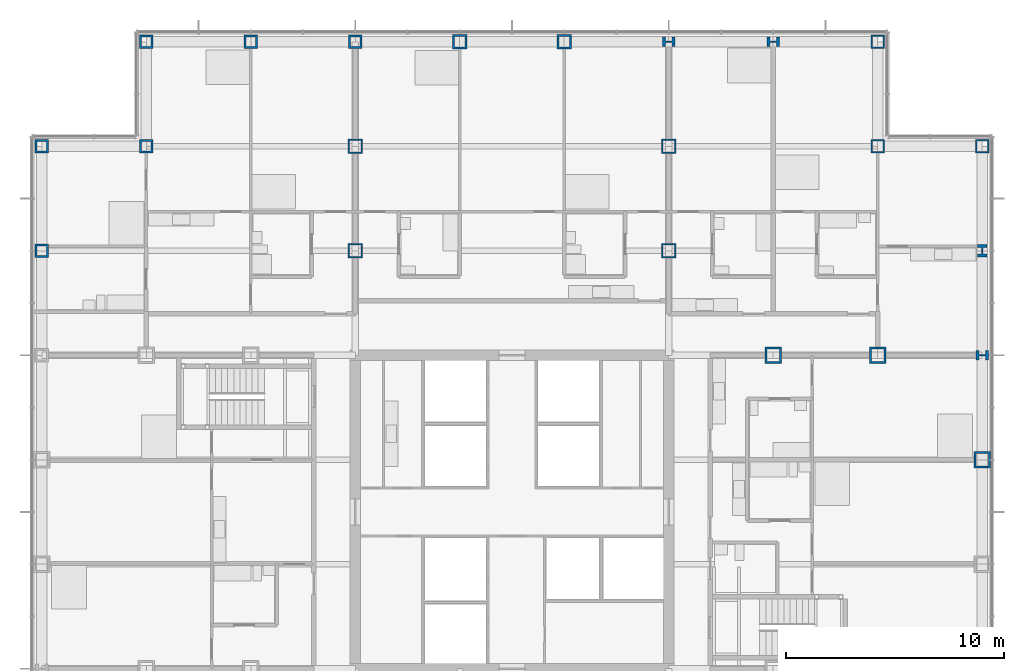
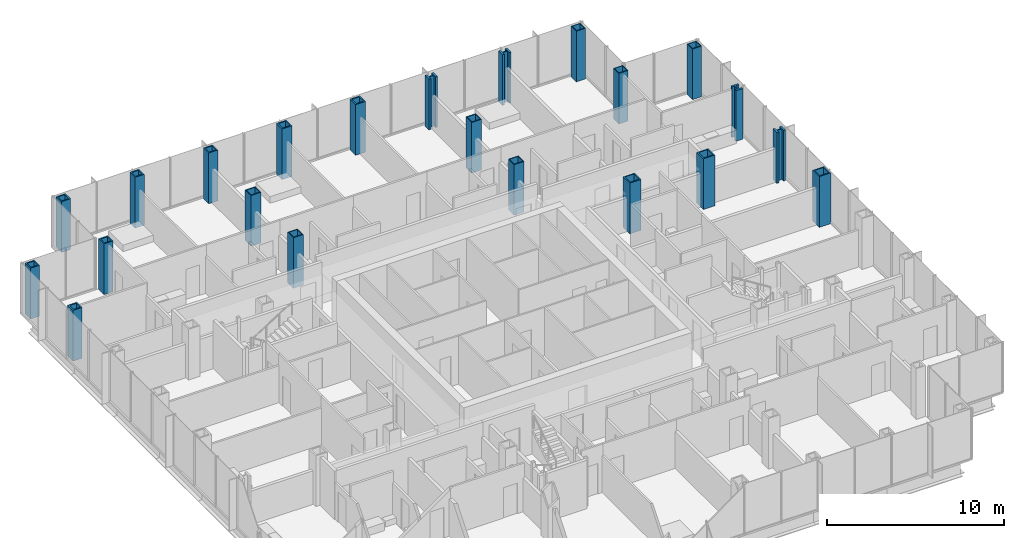
# One storey, part 5 of 21: 22 columns.
"""IFC4 building model written with IfcOpenShell, lengths in metres."""

from ifc_helpers import new_model, si_unit, direction, frame, origin, origin_2d, place, context, subcontext, project, spatial, hollow_rectangle, i_section, extrude, material, material_profile, profile_set, type_object, element, save


model = new_model("IFC4")

# Units and contexts
model_context = context("Model", 3, precision=1e-05, world=origin(), true_north=direction((0.0, 1.0)))
body_context = subcontext(model_context, "Body", "Model", "MODEL_VIEW")
ifc_project = project(units=[si_unit("LENGTHUNIT", "METRE"), si_unit("AREAUNIT", "SQUARE_METRE"), si_unit("VOLUMEUNIT", "CUBIC_METRE"), si_unit("PLANEANGLEUNIT", "RADIAN"), si_unit("MASSUNIT", "GRAM", prefix="KILO")], contexts=[model_context])

# Site, building, storey
site_placement = place(None, origin())
site = spatial("IfcSite", under=ifc_project, at=site_placement, CompositionType="ELEMENT")
building_placement = place(site_placement, origin())
building = spatial("IfcBuilding", under=site, at=building_placement, Name="Kvirike Care Tower", CompositionType="ELEMENT")
storey_placement = place(building_placement, frame((0.0, 0.0, 37.5)))
storey = spatial("IfcBuildingStorey", under=building, at=storey_placement, Name="L09", CompositionType="ELEMENT", Elevation=37.5)

# Columns
ifc_material_1 = material(Name="Steel S460", Category="steel")
ifc_material_profile_1 = material_profile(ifc_material_1, hollow_rectangle(XDim=0.60009765625, YDim=0.60009765625, WallThickness=0.050048828125, at=origin_2d()), Name="BX 600x600x50")
ifc_profile_set_1 = profile_set([ifc_material_profile_1], Name="Steel S460")
column_type_1 = type_object("IfcColumnType", Name="COLUMN BX 600x600x50", PredefinedType="COLUMN", material=ifc_profile_set_1)
for number, where, z_axis, x_axis, name in (
    (1, (38.39990234375, 52.800048828125, 0.0), (0.0, 0.0, 1.0), (0.0, 1.0, 0.0), "Column M11 L09"),
    (2, (38.39990234375, 57.60009765625, 0.0), (0.0, 0.0, 1.0), (0.0, 1.0, 0.0), "Column N11 L09"),
    (3, (43.199951171875, 52.800048828125, 0.0), (0.0, 0.0, 1.0), (0.0, 1.0, 0.0), "Column M12 L09"),
):
    element("IfcColumn", number, at=place(storey_placement, frame(where, z_axis=z_axis, x_axis=x_axis)), inside=storey, type_object=column_type_1, Name=name, PredefinedType="COLUMN", context=body_context, shape_type="SweptSolid", body=[
        extrude(hollow_rectangle(XDim=0.60009765625, YDim=0.60009765625, WallThickness=0.050048828125, at=origin_2d()), origin(), (0.0, 0.0, 1.0), 3.5),
    ])
ifc_material_2 = material(Name="Steel S460", Category="steel")
ifc_material_profile_2 = material_profile(ifc_material_2, hollow_rectangle(XDim=0.60009765625, YDim=0.60009765625, WallThickness=0.080078125, at=origin_2d()), Name="BX 600x600x80")
ifc_profile_set_2 = profile_set([ifc_material_profile_2], Name="Steel S460")
column_type_2 = type_object("IfcColumnType", Name="COLUMN BX 600x600x80", PredefinedType="COLUMN", material=ifc_profile_set_2)
for number, where, z_axis, x_axis, name in (
    (4, (0.0, 48.0, 0.0), (0.0, 0.0, 1.0), (1.0, 0.0, 0.0), "Column L3 L09"),
    (5, (0.0, 52.800048828125, 0.0), (0.0, 0.0, 1.0), (0.0, 1.0, 0.0), "Column M3 L09"),
    (6, (4.800048828125, 52.800048828125, 0.0), (0.0, 0.0, 1.0), (0.0, 1.0, 0.0), "Column M4 L09"),
    (7, (4.800048828125, 57.60009765625, 0.0), (0.0, 0.0, 1.0), (0.0, 1.0, 0.0), "Column N4 L09"),
    (8, (9.60009765625, 57.60009765625, 0.0), (0.0, 0.0, 1.0), (0.0, 1.0, 0.0), "Column N5 L09"),
    (9, (14.39990234375, 57.60009765625, 0.0), (0.0, 0.0, 1.0), (0.0, 1.0, 0.0), "Column N6 L09"),
):
    element("IfcColumn", number, at=place(storey_placement, frame(where, z_axis=z_axis, x_axis=x_axis)), inside=storey, type_object=column_type_2, Name=name, PredefinedType="COLUMN", context=body_context, shape_type="SweptSolid", body=[
        extrude(hollow_rectangle(XDim=0.60009765625, YDim=0.60009765625, WallThickness=0.080078125, at=origin_2d()), origin(), (0.0, 0.0, 1.0), 3.5),
    ])
ifc_material_3 = material(Name="Steel S460", Category="steel")
ifc_material_profile_3 = material_profile(ifc_material_3, hollow_rectangle(XDim=0.64990234375, YDim=0.64990234375, WallThickness=0.050048828125, at=origin_2d()), Name="BX 650x650x50")
ifc_profile_set_3 = profile_set([ifc_material_profile_3], Name="Steel S460")
column_type_3 = type_object("IfcColumnType", Name="COLUMN BX 650x650x50", PredefinedType="COLUMN", material=ifc_profile_set_3)
for number, where, z_axis, x_axis, name in (
    (10, (14.39990234375, 48.0, 0.0), (0.0, 0.0, 1.0), (1.0, 0.0, 0.0), "Column L6 L09"),
    (11, (14.39990234375, 52.800048828125, 0.0), (0.0, 0.0, 1.0), (1.0, 0.0, 0.0), "Column M6 L09"),
    (12, (28.800048828125, 48.0, 0.0), (0.0, 0.0, 1.0), (1.0, 0.0, 0.0), "Column L9 L09"),
    (13, (28.800048828125, 52.800048828125, 0.0), (0.0, 0.0, 1.0), (1.0, 0.0, 0.0), "Column M9 L09"),
):
    element("IfcColumn", number, at=place(storey_placement, frame(where, z_axis=z_axis, x_axis=x_axis)), inside=storey, type_object=column_type_3, Name=name, PredefinedType="COLUMN", context=body_context, shape_type="SweptSolid", body=[
        extrude(hollow_rectangle(XDim=0.64990234375, YDim=0.64990234375, WallThickness=0.050048828125, at=origin_2d()), origin(), (0.0, 0.0, 1.0), 3.5),
    ])
ifc_material_4 = material(Name="Steel S460", Category="steel")
ifc_material_profile_4 = material_profile(ifc_material_4, hollow_rectangle(XDim=0.64990234375, YDim=0.64990234375, WallThickness=0.080078125, at=origin_2d()), Name="BX 650x650x80")
ifc_profile_set_4 = profile_set([ifc_material_profile_4], Name="Steel S460")
column_type_4 = type_object("IfcColumnType", Name="COLUMN BX 650x650x80", PredefinedType="COLUMN", material=ifc_profile_set_4)
for number, where, z_axis, x_axis, name in (
    (14, (19.199951171875, 57.60009765625, 0.0), (0.0, 0.0, 1.0), (0.0, 1.0, 0.0), "Column N7 L09"),
    (15, (24.0, 57.60009765625, 0.0), (0.0, 0.0, 1.0), (0.0, 1.0, 0.0), "Column N8 L09"),
):
    element("IfcColumn", number, at=place(storey_placement, frame(where, z_axis=z_axis, x_axis=x_axis)), inside=storey, type_object=column_type_4, Name=name, PredefinedType="COLUMN", context=body_context, shape_type="SweptSolid", body=[
        extrude(hollow_rectangle(XDim=0.64990234375, YDim=0.64990234375, WallThickness=0.080078125, at=origin_2d()), origin(), (0.0, 0.0, 1.0), 3.5),
    ])
ifc_material_5 = material(Name="Steel S460", Category="steel")
ifc_material_profile_5 = material_profile(ifc_material_5, hollow_rectangle(XDim=0.75, YDim=0.75, WallThickness=0.080078125, at=origin_2d()), Name="BX 750x750x80")
ifc_profile_set_5 = profile_set([ifc_material_profile_5], Name="Steel S460")
column_type_5 = type_object("IfcColumnType", Name="COLUMN BX 750x750x80", PredefinedType="COLUMN", material=ifc_profile_set_5)
for number, where, z_axis, x_axis, name in (
    (16, (33.60009765625, 43.199951171875, 0.0), (0.0, 0.0, 1.0), (0.0, 1.0, 0.0), "Column K10 L09"),
    (17, (38.39990234375, 43.199951171875, 0.0), (0.0, 0.0, 1.0), (0.0, 1.0, 0.0), "Column K11 L09"),
    (18, (43.199951171875, 38.39990234375, 0.0), (0.0, 0.0, 1.0), (1.0, 0.0, 0.0), "Column J12 L09"),
):
    element("IfcColumn", number, at=place(storey_placement, frame(where, z_axis=z_axis, x_axis=x_axis)), inside=storey, type_object=column_type_5, Name=name, PredefinedType="COLUMN", context=body_context, shape_type="SweptSolid", body=[
        extrude(hollow_rectangle(XDim=0.75, YDim=0.75, WallThickness=0.080078125, at=origin_2d()), origin(), (0.0, 0.0, 1.0), 3.5),
    ])
ifc_material_6 = material(Name="Steel S460", Category="steel")
ifc_material_profile_6 = material_profile(ifc_material_6, i_section(OverallWidth=0.4541015625, OverallDepth=0.569091796875, WebThickness=0.077880859375, FlangeThickness=0.125, FilletRadius=0.014892578125, at=origin_2d()), Name="HD 400x1086")
ifc_profile_set_6 = profile_set([ifc_material_profile_6], Name="Steel S460")
column_type_6 = type_object("IfcColumnType", Name="COLUMN HD 400x1086", PredefinedType="COLUMN", material=ifc_profile_set_6)
for number, where, z_axis, x_axis, name in (
    (19, (28.800048828125, 57.60009765625, 0.0), (0.0, 0.0, 1.0), (0.0, 1.0, 0.0), "Column N9 L09"),
    (20, (33.60009765625, 57.60009765625, 0.0), (0.0, 0.0, 1.0), (0.0, 1.0, 0.0), "Column N10 L09"),
    (21, (43.199951171875, 43.199951171875, 0.0), (0.0, 0.0, 1.0), (0.0, 1.0, 0.0), "Column K12 L09"),
    (22, (43.199951171875, 48.0, 0.0), (0.0, 0.0, 1.0), (1.0, 0.0, 0.0), "Column L12 L09"),
):
    element("IfcColumn", number, at=place(storey_placement, frame(where, z_axis=z_axis, x_axis=x_axis)), inside=storey, type_object=column_type_6, Name=name, PredefinedType="COLUMN", context=body_context, shape_type="SweptSolid", body=[
        extrude(i_section(OverallWidth=0.4541015625, OverallDepth=0.569091796875, WebThickness=0.077880859375, FlangeThickness=0.125, FilletRadius=0.014892578125, at=origin_2d()), origin(), (0.0, 0.0, 1.0), 3.5),
    ])

save(model, "model.ifc")
